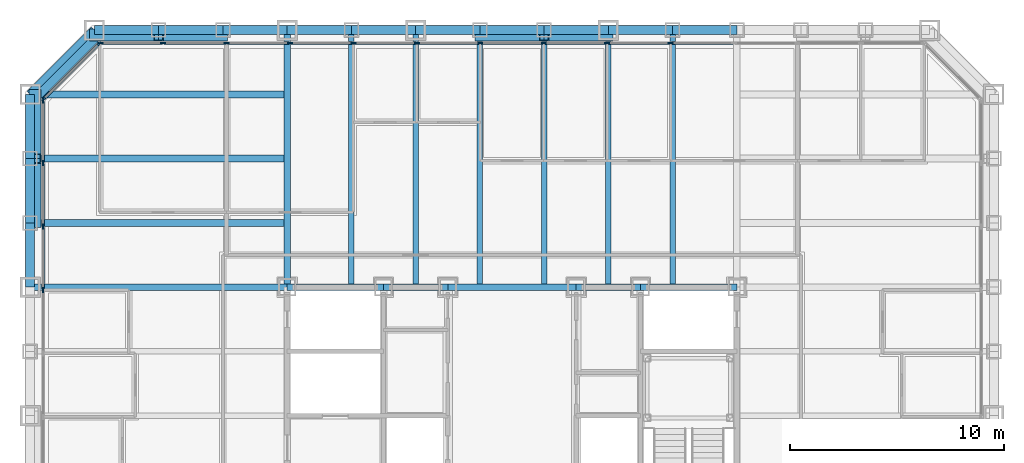
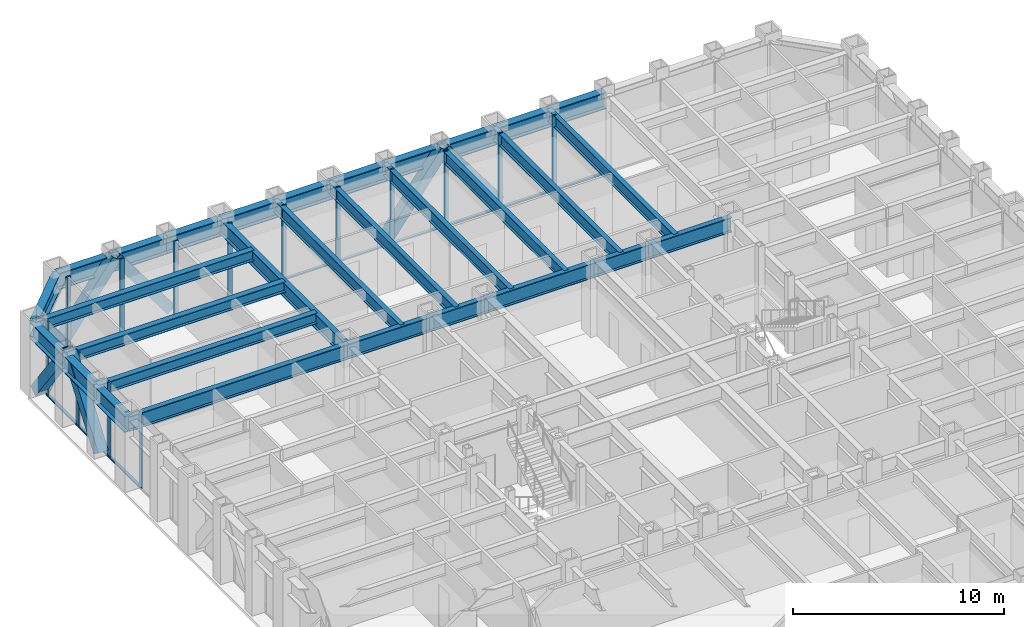
# One storey, part 5 of 16: 37 members, 30 beams, 3 elements without a shape of their own.
"""IFC4 building model written with IfcOpenShell, lengths in metres."""

from ifc_helpers import new_model, si_unit, direction, frame, origin, origin_2d, place, context, subcontext, project, spatial, rectangle, hollow_rectangle, i_section, extrude, material, layer, layer_set, material_profile, profile_set, type_object, element, aggregate, save


model = new_model("IFC4")

# Units and contexts
model_context = context("Model", 3, precision=1e-05, world=origin(), true_north=direction((0.0, 1.0)))
body_context = subcontext(model_context, "Body", "Model", "MODEL_VIEW")
ifc_project = project(units=[si_unit("LENGTHUNIT", "METRE"), si_unit("AREAUNIT", "SQUARE_METRE"), si_unit("VOLUMEUNIT", "CUBIC_METRE"), si_unit("PLANEANGLEUNIT", "RADIAN"), si_unit("MASSUNIT", "GRAM", prefix="KILO")], contexts=[model_context])

# Site, building, storey
site_placement = place(None, origin())
site = spatial("IfcSite", under=ifc_project, at=site_placement, CompositionType="ELEMENT")
building_placement = place(site_placement, origin())
building = spatial("IfcBuilding", under=site, at=building_placement, Name="Chuquiago Exchange Tower", CompositionType="ELEMENT")
storey_placement = place(building_placement, frame((0.0, 0.0, 82.800048828125)))
storey = spatial("IfcBuildingStorey", under=building, at=storey_placement, Name="L17", CompositionType="ELEMENT", Elevation=82.800048828125)

# Beams
ifc_material_1 = material(Name="Steel ASTM A992", Category="steel")
ifc_material_profile_1 = material_profile(ifc_material_1, i_section(OverallWidth=0.2919921875, OverallDepth=0.8583984375, WebThickness=0.01708984375, FlangeThickness=0.031005859375, at=origin_2d()), Name="W33X169")
ifc_profile_set_1 = profile_set([ifc_material_profile_1], Name="Steel ASTM A992")
beam_type_1 = type_object("IfcBeamType", Name="B3 W33X169", PredefinedType="BEAM", material=ifc_profile_set_1)
beam_1_placement = place(storey_placement, frame((12.0, 33.0, 3.610595703125), z_axis=(1.0, 0.0, 0.0), x_axis=(0.0, 1.0, 0.0)))
element("IfcBeam", 1, at=beam_1_placement, inside=storey, type_object=beam_type_1, Name="CB-L18-12_33-16.5_33", PredefinedType="BEAM", context=body_context, shape_type="SweptSolid", body=[
    extrude(i_section(OverallWidth=0.2919921875, OverallDepth=0.8583984375, WebThickness=0.01708984375, FlangeThickness=0.031005859375, at=origin_2d()), origin(), (0.0, 0.0, 1.0), 4.5),
])
beam_2_placement = place(storey_placement, frame((16.5, 33.0, 3.610595703125), z_axis=(1.0, 0.0, 0.0), x_axis=(0.0, 1.0, 0.0)))
element("IfcBeam", 2, at=beam_2_placement, inside=storey, type_object=beam_type_1, Name="CB-L18-16.5_33-19.5_33", PredefinedType="BEAM", context=body_context, shape_type="SweptSolid", body=[
    extrude(i_section(OverallWidth=0.2919921875, OverallDepth=0.8583984375, WebThickness=0.01708984375, FlangeThickness=0.031005859375, at=origin_2d()), origin(), (0.0, 0.0, 1.0), 3.0),
])
beam_3_placement = place(storey_placement, frame((19.5, 33.0, 3.610595703125), z_axis=(1.0, 0.0, 0.0), x_axis=(0.0, 1.0, 0.0)))
element("IfcBeam", 3, at=beam_3_placement, inside=storey, type_object=beam_type_1, Name="CB-L18-19.5_33-25.5_33", PredefinedType="BEAM", context=body_context, shape_type="SweptSolid", body=[
    extrude(i_section(OverallWidth=0.2919921875, OverallDepth=0.8583984375, WebThickness=0.01708984375, FlangeThickness=0.031005859375, at=origin_2d()), origin(), (0.0, 0.0, 1.0), 6.0),
])
beam_4_placement = place(storey_placement, frame((25.5, 33.0, 3.610595703125), z_axis=(1.0, 0.0, 0.0), x_axis=(0.0, 1.0, 0.0)))
element("IfcBeam", 4, at=beam_4_placement, inside=storey, type_object=beam_type_1, Name="CB-L18-25.5_33-28.5_33", PredefinedType="BEAM", context=body_context, shape_type="SweptSolid", body=[
    extrude(i_section(OverallWidth=0.2919921875, OverallDepth=0.8583984375, WebThickness=0.01708984375, FlangeThickness=0.031005859375, at=origin_2d()), origin(), (0.0, 0.0, 1.0), 3.0),
])
beam_5_placement = place(storey_placement, frame((28.5, 33.0, 3.610595703125), z_axis=(1.0, 0.0, 0.0), x_axis=(0.0, 1.0, 0.0)))
element("IfcBeam", 5, at=beam_5_placement, inside=storey, type_object=beam_type_1, Name="CB-L18-28.5_33-33_33", PredefinedType="BEAM", context=body_context, shape_type="SweptSolid", body=[
    extrude(i_section(OverallWidth=0.2919921875, OverallDepth=0.8583984375, WebThickness=0.01708984375, FlangeThickness=0.031005859375, at=origin_2d()), origin(), (0.0, 0.0, 1.0), 4.5),
])
ifc_material_2 = material(Name="Steel ASTM A992", Category="steel")
ifc_material_profile_2 = material_profile(ifc_material_2, i_section(OverallWidth=0.256591796875, OverallDepth=0.693359375, WebThickness=0.014404296875, FlangeThickness=0.023681640625, at=origin_2d()), Name="W27X114")
ifc_profile_set_2 = profile_set([ifc_material_profile_2], Name="Steel ASTM A992")
beam_type_2 = type_object("IfcBeamType", Name="B4 W27X114", PredefinedType="BEAM", material=ifc_profile_set_2)
for number, where, z_axis, x_axis, name in (
    (6, (15.0, 33.0, 3.693359375), (0.0, 1.0, 0.0), (-1.0, 0.0, 0.0), "FB-L18-infill-15_33-15_45-0"),
    (7, (18.0, 33.0, 3.693359375), (0.0, 1.0, 0.0), (-1.0, 0.0, 0.0), "FB-L18-infill-18_33-18_45-0"),
    (8, (21.0, 33.0, 3.693359375), (0.0, 1.0, 0.0), (-1.0, 0.0, 0.0), "FB-L18-infill-21_33-21_45-0"),
    (9, (24.0, 33.0, 3.693359375), (0.0, 1.0, 0.0), (-1.0, 0.0, 0.0), "FB-L18-infill-24_33-24_45-0"),
    (10, (27.0, 33.0, 3.693359375), (0.0, 1.0, 0.0), (-1.0, 0.0, 0.0), "FB-L18-infill-27_33-27_45-0"),
    (11, (30.0, 33.0, 3.693359375), (0.0, 1.0, 0.0), (-1.0, 0.0, 0.0), "FB-L18-infill-30_33-30_45-0"),
):
    element("IfcBeam", number, at=place(storey_placement, frame(where, z_axis=z_axis, x_axis=x_axis)), inside=storey, type_object=beam_type_2, Name=name, PredefinedType="BEAM", context=body_context, shape_type="SweptSolid", body=[
        extrude(i_section(OverallWidth=0.256591796875, OverallDepth=0.693359375, WebThickness=0.014404296875, FlangeThickness=0.023681640625, at=origin_2d()), origin(), (0.0, 0.0, 1.0), 12.0),
    ])
ifc_material_3 = material(Name="Steel ASTM A992", Category="steel")
ifc_material_profile_3 = material_profile(ifc_material_3, i_section(OverallWidth=0.3251953125, OverallDepth=0.6171875, WebThickness=0.013916015625, FlangeThickness=0.021484375, at=origin_2d()), Name="W24X117")
ifc_profile_set_3 = profile_set([ifc_material_profile_3], Name="Steel ASTM A992")
beam_type_3 = type_object("IfcBeamType", Name="B5 W24X117", PredefinedType="BEAM", material=ifc_profile_set_3)
for number, where, z_axis, x_axis, name in (
    (12, (12.0, 36.0, 3.7314453125), (-1.0, 0.0, 0.0), (0.0, -1.0, 0.0), "FB-L18-corner-12_36--0_36-0"),
    (13, (12.0, 39.0, 3.7314453125), (-1.0, 0.0, 0.0), (0.0, -1.0, 0.0), "FB-L18-corner-12_39--0_39-0"),
    (14, (12.0, 42.0, 3.7314453125), (-1.0, 0.0, 0.0), (0.0, -1.0, 0.0), "FB-L18-corner-12_42--0_42-0"),
):
    element("IfcBeam", number, at=place(storey_placement, frame(where, z_axis=z_axis, x_axis=x_axis)), inside=storey, type_object=beam_type_3, Name=name, PredefinedType="BEAM", context=body_context, shape_type="SweptSolid", body=[
        extrude(i_section(OverallWidth=0.3251953125, OverallDepth=0.6171875, WebThickness=0.013916015625, FlangeThickness=0.021484375, at=origin_2d()), origin(), (0.0, 0.0, 1.0), 12.0),
    ])

# Curtain wall, members
ifc_material_4 = material(Name="Aluminium curtain wall system", Category="aluminium")
ifc_layer_1 = layer(ifc_material_4, 0.25)
ifc_layer_set_1 = layer_set([ifc_layer_1], Name="CW1 trading floor curtain wall")
curtain_wall_type_1 = type_object("IfcCurtainWallType", Name="CW1 trading floor curtain wall", PredefinedType="NOTDEFINED", material=ifc_layer_set_1)
curtain_wall_1_placement = place(storey_placement, origin())
curtain_wall_1 = element("IfcCurtainWall", 15, at=curtain_wall_1_placement, inside=storey, type_object=curtain_wall_type_1, Name="CW1 curtain wall L17", PredefinedType="NOTDEFINED")
ifc_material_5 = material(Name="Aluminium mullion, pale anodised", Category="aluminium")
ifc_material_profile_4 = material_profile(ifc_material_5, rectangle(XDim=0.074951171875, YDim=0.25, at=origin_2d()), Name="AL 75x250")
ifc_profile_set_4 = profile_set([ifc_material_profile_4], Name="Aluminium mullion, pale anodised")
member_type_1 = type_object("IfcMemberType", Name="CW1-M mullion 75x250", PredefinedType="MULLION", material=ifc_profile_set_4)
member_1_placement = place(storey_placement, frame((29.904541015625, 44.39990234375, -0.300048828125), z_axis=(0.0, 0.0, 1.0), x_axis=(0.0, -1.0, 0.0)))
member_1 = element("IfcMember", 16, at=member_1_placement, type_object=member_type_1, Name="CW1 mullion 5", PredefinedType="MULLION", context=body_context, shape_type="SweptSolid", body=[
    extrude(rectangle(XDim=0.074951171875, YDim=0.25, at=origin_2d()), origin(), (0.0, 0.0, 1.0), 4.340087890625),
])
member_2_placement = place(storey_placement, frame((26.942626953125, 44.39990234375, -0.300048828125), z_axis=(0.0, 0.0, 1.0), x_axis=(0.0, -1.0, 0.0)))
member_2 = element("IfcMember", 17, at=member_2_placement, type_object=member_type_1, Name="CW1 mullion 6", PredefinedType="MULLION", context=body_context, shape_type="SweptSolid", body=[
    extrude(rectangle(XDim=0.074951171875, YDim=0.25, at=origin_2d()), origin(), (0.0, 0.0, 1.0), 4.340087890625),
])
member_3_placement = place(storey_placement, frame((23.98095703125, 44.39990234375, -0.300048828125), z_axis=(0.0, 0.0, 1.0), x_axis=(0.0, -1.0, 0.0)))
member_3 = element("IfcMember", 18, at=member_3_placement, type_object=member_type_1, Name="CW1 mullion 7", PredefinedType="MULLION", context=body_context, shape_type="SweptSolid", body=[
    extrude(rectangle(XDim=0.074951171875, YDim=0.25, at=origin_2d()), origin(), (0.0, 0.0, 1.0), 4.340087890625),
])
member_4_placement = place(storey_placement, frame((21.01904296875, 44.39990234375, -0.300048828125), z_axis=(0.0, 0.0, 1.0), x_axis=(0.0, -1.0, 0.0)))
member_4 = element("IfcMember", 19, at=member_4_placement, type_object=member_type_1, Name="CW1 mullion 8", PredefinedType="MULLION", context=body_context, shape_type="SweptSolid", body=[
    extrude(rectangle(XDim=0.074951171875, YDim=0.25, at=origin_2d()), origin(), (0.0, 0.0, 1.0), 4.340087890625),
])
member_5_placement = place(storey_placement, frame((18.057373046875, 44.39990234375, -0.300048828125), z_axis=(0.0, 0.0, 1.0), x_axis=(0.0, -1.0, 0.0)))
member_5 = element("IfcMember", 20, at=member_5_placement, type_object=member_type_1, Name="CW1 mullion 9", PredefinedType="MULLION", context=body_context, shape_type="SweptSolid", body=[
    extrude(rectangle(XDim=0.074951171875, YDim=0.25, at=origin_2d()), origin(), (0.0, 0.0, 1.0), 4.340087890625),
])
member_6_placement = place(storey_placement, frame((15.095458984375, 44.39990234375, -0.300048828125), z_axis=(0.0, 0.0, 1.0), x_axis=(0.0, -1.0, 0.0)))
member_6 = element("IfcMember", 21, at=member_6_placement, type_object=member_type_1, Name="CW1 mullion 10", PredefinedType="MULLION", context=body_context, shape_type="SweptSolid", body=[
    extrude(rectangle(XDim=0.074951171875, YDim=0.25, at=origin_2d()), origin(), (0.0, 0.0, 1.0), 4.340087890625),
])
member_7_placement = place(storey_placement, frame((12.1337890625, 44.39990234375, -0.300048828125), z_axis=(0.0, 0.0, 1.0), x_axis=(0.0, -1.0, 0.0)))
member_7 = element("IfcMember", 22, at=member_7_placement, type_object=member_type_1, Name="CW1 mullion 11", PredefinedType="MULLION", context=body_context, shape_type="SweptSolid", body=[
    extrude(rectangle(XDim=0.074951171875, YDim=0.25, at=origin_2d()), origin(), (0.0, 0.0, 1.0), 4.340087890625),
])
member_8_placement = place(storey_placement, frame((9.172119140625, 44.39990234375, -0.300048828125), z_axis=(0.0, 0.0, 1.0), x_axis=(0.0, -1.0, 0.0)))
member_8 = element("IfcMember", 23, at=member_8_placement, type_object=member_type_1, Name="CW1 mullion 12", PredefinedType="MULLION", context=body_context, shape_type="SweptSolid", body=[
    extrude(rectangle(XDim=0.074951171875, YDim=0.25, at=origin_2d()), origin(), (0.0, 0.0, 1.0), 4.340087890625),
])
member_9_placement = place(storey_placement, frame((6.210205078125, 44.39990234375, -0.300048828125), z_axis=(0.0, 0.0, 1.0), x_axis=(0.0, -1.0, 0.0)))
member_9 = element("IfcMember", 24, at=member_9_placement, type_object=member_type_1, Name="CW1 mullion 13", PredefinedType="MULLION", context=body_context, shape_type="SweptSolid", body=[
    extrude(rectangle(XDim=0.074951171875, YDim=0.25, at=origin_2d()), origin(), (0.0, 0.0, 1.0), 4.340087890625),
])
member_10_placement = place(storey_placement, frame((3.285888671875, 44.39990234375, -0.300048828125), z_axis=(0.0, 0.0, 1.0), x_axis=(0.0, -1.0, 0.0)))
member_10 = element("IfcMember", 25, at=member_10_placement, type_object=member_type_1, Name="CW1 mullion 14", PredefinedType="MULLION", context=body_context, shape_type="SweptSolid", body=[
    extrude(rectangle(XDim=0.074951171875, YDim=0.25, at=origin_2d()), origin(), (0.0, 0.0, 1.0), 4.340087890625),
])

curtain_wall_2_placement = place(storey_placement, origin())
curtain_wall_2 = element("IfcCurtainWall", 26, at=curtain_wall_2_placement, inside=storey, type_object=curtain_wall_type_1, Name="CW1 curtain wall L17", PredefinedType="NOTDEFINED")
member_11_placement = place(storey_placement, frame((0.60009765625, 41.714111328125, -0.300048828125), z_axis=(0.0, 0.0, 1.0), x_axis=(1.0, 0.0, 0.0)))
member_11 = element("IfcMember", 27, at=member_11_placement, type_object=member_type_1, Name="CW1 mullion 1", PredefinedType="MULLION", context=body_context, shape_type="SweptSolid", body=[
    extrude(rectangle(XDim=0.074951171875, YDim=0.25, at=origin_2d()), origin(), (0.0, 0.0, 1.0), 4.340087890625),
])
member_12_placement = place(storey_placement, frame((0.60009765625, 38.789794921875, -0.300048828125), z_axis=(0.0, 0.0, 1.0), x_axis=(1.0, 0.0, 0.0)))
member_12 = element("IfcMember", 28, at=member_12_placement, type_object=member_type_1, Name="CW1 mullion 2", PredefinedType="MULLION", context=body_context, shape_type="SweptSolid", body=[
    extrude(rectangle(XDim=0.074951171875, YDim=0.25, at=origin_2d()), origin(), (0.0, 0.0, 1.0), 4.340087890625),
])
member_13_placement = place(storey_placement, frame((0.60009765625, 35.827880859375, -0.300048828125), z_axis=(0.0, 0.0, 1.0), x_axis=(1.0, 0.0, 0.0)))
member_13 = element("IfcMember", 29, at=member_13_placement, type_object=member_type_1, Name="CW1 mullion 3", PredefinedType="MULLION", context=body_context, shape_type="SweptSolid", body=[
    extrude(rectangle(XDim=0.074951171875, YDim=0.25, at=origin_2d()), origin(), (0.0, 0.0, 1.0), 4.340087890625),
])
member_14_placement = place(storey_placement, frame((0.60009765625, 32.8662109375, -0.300048828125), z_axis=(0.0, 0.0, 1.0), x_axis=(1.0, 0.0, 0.0)))
member_14 = element("IfcMember", 30, at=member_14_placement, type_object=member_type_1, Name="CW1 mullion 4", PredefinedType="MULLION", context=body_context, shape_type="SweptSolid", body=[
    extrude(rectangle(XDim=0.074951171875, YDim=0.25, at=origin_2d()), origin(), (0.0, 0.0, 1.0), 4.340087890625),
])

# Member
ifc_material_6 = material(Name="Aluminium transom, pale anodised", Category="aluminium")
ifc_material_profile_5 = material_profile(ifc_material_6, rectangle(XDim=0.14990234375, YDim=0.074951171875, at=origin_2d()), Name="AL 150x75")
ifc_profile_set_5 = profile_set([ifc_material_profile_5], Name="Aluminium transom, pale anodised")
member_type_2 = type_object("IfcMemberType", Name="CW1-T transom 75x150", PredefinedType="MULLION", material=ifc_profile_set_5)
member_15_placement = place(storey_placement, frame((32.82861328125, 44.39990234375, -0.262451171875), z_axis=(-1.0, 0.0, 0.0), x_axis=(0.0, -1.0, 0.0)))
member_15 = element("IfcMember", 31, at=member_15_placement, type_object=member_type_2, Name="CW1 transom 4.1", PredefinedType="MULLION", context=body_context, shape_type="SweptSolid", body=[
    extrude(rectangle(XDim=0.14990234375, YDim=0.074951171875, at=origin_2d()), origin(), (0.0, 0.0, 1.0), 2.88671875),
])

member_16_placement = place(storey_placement, frame((29.866943359375, 44.39990234375, -0.262451171875), z_axis=(-1.0, 0.0, 0.0), x_axis=(0.0, -1.0, 0.0)))
member_16 = element("IfcMember", 32, at=member_16_placement, type_object=member_type_2, Name="CW1 transom 5.1", PredefinedType="MULLION", context=body_context, shape_type="SweptSolid", body=[
    extrude(rectangle(XDim=0.14990234375, YDim=0.074951171875, at=origin_2d()), origin(), (0.0, 0.0, 1.0), 2.88671875),
])

member_17_placement = place(storey_placement, frame((26.9052734375, 44.39990234375, -0.262451171875), z_axis=(-1.0, 0.0, 0.0), x_axis=(0.0, -1.0, 0.0)))
member_17 = element("IfcMember", 33, at=member_17_placement, type_object=member_type_2, Name="CW1 transom 6.1", PredefinedType="MULLION", context=body_context, shape_type="SweptSolid", body=[
    extrude(rectangle(XDim=0.14990234375, YDim=0.074951171875, at=origin_2d()), origin(), (0.0, 0.0, 1.0), 2.886962890625),
])

member_18_placement = place(storey_placement, frame((23.943359375, 44.39990234375, -0.262451171875), z_axis=(-1.0, 0.0, 0.0), x_axis=(0.0, -1.0, 0.0)))
member_18 = element("IfcMember", 34, at=member_18_placement, type_object=member_type_2, Name="CW1 transom 7.1", PredefinedType="MULLION", context=body_context, shape_type="SweptSolid", body=[
    extrude(rectangle(XDim=0.14990234375, YDim=0.074951171875, at=origin_2d()), origin(), (0.0, 0.0, 1.0), 2.88671875),
])

member_19_placement = place(storey_placement, frame((20.981689453125, 44.39990234375, -0.262451171875), z_axis=(-1.0, 0.0, 0.0), x_axis=(0.0, -1.0, 0.0)))
member_19 = element("IfcMember", 35, at=member_19_placement, type_object=member_type_2, Name="CW1 transom 8.1", PredefinedType="MULLION", context=body_context, shape_type="SweptSolid", body=[
    extrude(rectangle(XDim=0.14990234375, YDim=0.074951171875, at=origin_2d()), origin(), (0.0, 0.0, 1.0), 2.886962890625),
])

member_20_placement = place(storey_placement, frame((18.019775390625, 44.39990234375, -0.262451171875), z_axis=(-1.0, 0.0, 0.0), x_axis=(0.0, -1.0, 0.0)))
member_20 = element("IfcMember", 36, at=member_20_placement, type_object=member_type_2, Name="CW1 transom 9.1", PredefinedType="MULLION", context=body_context, shape_type="SweptSolid", body=[
    extrude(rectangle(XDim=0.14990234375, YDim=0.074951171875, at=origin_2d()), origin(), (0.0, 0.0, 1.0), 2.88671875),
])

member_21_placement = place(storey_placement, frame((15.05810546875, 44.39990234375, -0.262451171875), z_axis=(-1.0, 0.0, 0.0), x_axis=(0.0, -1.0, 0.0)))
member_21 = element("IfcMember", 37, at=member_21_placement, type_object=member_type_2, Name="CW1 transom 10.1", PredefinedType="MULLION", context=body_context, shape_type="SweptSolid", body=[
    extrude(rectangle(XDim=0.14990234375, YDim=0.074951171875, at=origin_2d()), origin(), (0.0, 0.0, 1.0), 2.88671875),
])

member_22_placement = place(storey_placement, frame((12.09619140625, 44.39990234375, -0.262451171875), z_axis=(-1.0, 0.0, 0.0), x_axis=(0.0, -1.0, 0.0)))
member_22 = element("IfcMember", 38, at=member_22_placement, type_object=member_type_2, Name="CW1 transom 11.1", PredefinedType="MULLION", context=body_context, shape_type="SweptSolid", body=[
    extrude(rectangle(XDim=0.14990234375, YDim=0.074951171875, at=origin_2d()), origin(), (0.0, 0.0, 1.0), 2.88671875),
])

member_23_placement = place(storey_placement, frame((9.134521484375, 44.39990234375, -0.262451171875), z_axis=(-1.0, 0.0, 0.0), x_axis=(0.0, -1.0, 0.0)))
member_23 = element("IfcMember", 39, at=member_23_placement, type_object=member_type_2, Name="CW1 transom 12.1", PredefinedType="MULLION", context=body_context, shape_type="SweptSolid", body=[
    extrude(rectangle(XDim=0.14990234375, YDim=0.074951171875, at=origin_2d()), origin(), (0.0, 0.0, 1.0), 2.88671875),
])

member_24_placement = place(storey_placement, frame((6.1728515625, 44.39990234375, -0.262451171875), z_axis=(-1.0, 0.0, 0.0), x_axis=(0.0, -1.0, 0.0)))
member_24 = element("IfcMember", 40, at=member_24_placement, type_object=member_type_2, Name="CW1 transom 13.1", PredefinedType="MULLION", context=body_context, shape_type="SweptSolid", body=[
    extrude(rectangle(XDim=0.14990234375, YDim=0.074951171875, at=origin_2d()), origin(), (0.0, 0.0, 1.0), 2.849365234375),
])

aggregate(curtain_wall_1, [member_1, member_2, member_3, member_4, member_5, member_6, member_7, member_8, member_9, member_10, member_15, member_16, member_17, member_18, member_19, member_20, member_21, member_22, member_23, member_24])

member_25_placement = place(storey_placement, frame((0.60009765625, 41.676513671875, -0.262451171875), z_axis=(0.0, -1.0, 0.0), x_axis=(1.0, 0.0, 0.0)))
member_25 = element("IfcMember", 41, at=member_25_placement, type_object=member_type_2, Name="CW1 transom 1.1", PredefinedType="MULLION", context=body_context, shape_type="SweptSolid", body=[
    extrude(rectangle(XDim=0.14990234375, YDim=0.074951171875, at=origin_2d()), origin(), (0.0, 0.0, 1.0), 2.849365234375),
])

member_26_placement = place(storey_placement, frame((0.60009765625, 38.752197265625, -0.262451171875), z_axis=(0.0, -1.0, 0.0), x_axis=(1.0, 0.0, 0.0)))
member_26 = element("IfcMember", 42, at=member_26_placement, type_object=member_type_2, Name="CW1 transom 2.1", PredefinedType="MULLION", context=body_context, shape_type="SweptSolid", body=[
    extrude(rectangle(XDim=0.14990234375, YDim=0.074951171875, at=origin_2d()), origin(), (0.0, 0.0, 1.0), 2.88671875),
])

member_27_placement = place(storey_placement, frame((0.60009765625, 35.79052734375, -0.262451171875), z_axis=(0.0, -1.0, 0.0), x_axis=(1.0, 0.0, 0.0)))
member_27 = element("IfcMember", 43, at=member_27_placement, type_object=member_type_2, Name="CW1 transom 3.1", PredefinedType="MULLION", context=body_context, shape_type="SweptSolid", body=[
    extrude(rectangle(XDim=0.14990234375, YDim=0.074951171875, at=origin_2d()), origin(), (0.0, 0.0, 1.0), 2.88671875),
])

aggregate(curtain_wall_2, [member_11, member_12, member_13, member_14, member_25, member_26, member_27])

# Curtain wall, members
ifc_material_7 = material(Name="Aluminium curtain wall system", Category="aluminium")
ifc_layer_2 = layer(ifc_material_7, 0.199951171875)
ifc_layer_set_2 = layer_set([ifc_layer_2], Name="CW3 facet curtain wall")
curtain_wall_type_2 = type_object("IfcCurtainWallType", Name="CW3 facet curtain wall", PredefinedType="NOTDEFINED", material=ifc_layer_set_2)
curtain_wall_3_placement = place(storey_placement, origin())
curtain_wall_3 = element("IfcCurtainWall", 44, at=curtain_wall_3_placement, inside=storey, type_object=curtain_wall_type_2, Name="CW3 curtain wall L17", PredefinedType="NOTDEFINED")
ifc_material_8 = material(Name="Aluminium mullion, pale anodised", Category="aluminium")
ifc_material_profile_6 = material_profile(ifc_material_8, rectangle(XDim=0.06494140625, YDim=0.199951171875, at=origin_2d()), Name="AL 65x200")
ifc_profile_set_6 = profile_set([ifc_material_profile_6], Name="Aluminium mullion, pale anodised")
member_type_3 = type_object("IfcMemberType", Name="CW3-M mullion 65x200", PredefinedType="MULLION", material=ifc_profile_set_6)
member_28_placement = place(storey_placement, frame((3.2255859375, 44.376953125, -0.300048828125), z_axis=(0.0, 0.0, 1.0), x_axis=(0.707106781187, -0.707106781187, 0.0)))
member_28 = element("IfcMember", 45, at=member_28_placement, type_object=member_type_3, Name="CW3 mullion 1", PredefinedType="MULLION", context=body_context, shape_type="SweptSolid", body=[
    extrude(rectangle(XDim=0.06494140625, YDim=0.199951171875, at=origin_2d()), origin(), (0.0, 0.0, 1.0), 4.340087890625),
])
member_29_placement = place(storey_placement, frame((0.623046875, 41.7744140625, -0.300048828125), z_axis=(0.0, 0.0, 1.0), x_axis=(0.707106781187, -0.707106781187, 0.0)))
member_29 = element("IfcMember", 46, at=member_29_placement, type_object=member_type_3, Name="CW3 mullion 2", PredefinedType="MULLION", context=body_context, shape_type="SweptSolid", body=[
    extrude(rectangle(XDim=0.06494140625, YDim=0.199951171875, at=origin_2d()), origin(), (0.0, 0.0, 1.0), 4.340087890625),
])
ifc_material_9 = material(Name="Aluminium transom, pale anodised", Category="aluminium")
ifc_material_profile_7 = material_profile(ifc_material_9, rectangle(XDim=0.139892578125, YDim=0.06494140625, at=origin_2d()), Name="AL 140x65")
ifc_profile_set_7 = profile_set([ifc_material_profile_7], Name="Aluminium transom, pale anodised")
member_type_4 = type_object("IfcMemberType", Name="CW3-T transom 65x140", PredefinedType="MULLION", material=ifc_profile_set_7)
member_30_placement = place(storey_placement, frame((3.20263671875, 44.35400390625, -0.267578125), z_axis=(-0.707106781187, -0.707106781187, 0.0), x_axis=(0.707106781187, -0.707106781187, 0.0)))
member_30 = element("IfcMember", 47, at=member_30_placement, type_object=member_type_4, Name="CW3 transom 1.1", PredefinedType="MULLION", context=body_context, shape_type="SweptSolid", body=[
    extrude(rectangle(XDim=0.139892578125, YDim=0.06494140625, at=origin_2d()), origin(), (0.0, 0.0, 1.0), 3.61572265625),
])
aggregate(curtain_wall_3, [member_28, member_29, member_30])

# Beams
ifc_material_10 = material(Name="Steel ASTM A992", Category="steel")
ifc_material_profile_8 = material_profile(ifc_material_10, i_section(OverallWidth=0.2919921875, OverallDepth=0.8583984375, WebThickness=0.01708984375, FlangeThickness=0.031005859375, at=origin_2d()), Name="W33X169")
ifc_profile_set_8 = profile_set([ifc_material_profile_8], Name="Steel ASTM A992")
beam_type_4 = type_object("IfcBeamType", Name="G2 W33X169", PredefinedType="BEAM", material=ifc_profile_set_8)
for number, where, z_axis, x_axis, name in (
    (48, (12.0, 33.0, 3.610595703125), (0.0, 1.0, 0.0), (-1.0, 0.0, 0.0), "FB-L18-girder-12_33-12_45-0"),
    (49, (12.0, 33.0, 3.610595703125), (-1.0, 0.0, 0.0), (0.0, -1.0, 0.0), "FB-L18-girder-12_33--0_33-0"),
):
    element("IfcBeam", number, at=place(storey_placement, frame(where, z_axis=z_axis, x_axis=x_axis)), inside=storey, type_object=beam_type_4, Name=name, PredefinedType="BEAM", context=body_context, shape_type="SweptSolid", body=[
        extrude(i_section(OverallWidth=0.2919921875, OverallDepth=0.8583984375, WebThickness=0.01708984375, FlangeThickness=0.031005859375, at=origin_2d()), origin(), (0.0, 0.0, 1.0), 12.0),
    ])

# Members
ifc_material_11 = material(Name="Steel ASTM A500 Grade C", Category="steel")
ifc_material_profile_9 = material_profile(ifc_material_11, hollow_rectangle(XDim=0.406494140625, YDim=0.406494140625, WallThickness=0.0146484375, at=origin_2d()), Name="HSS16X16X5/8")
ifc_profile_set_9 = profile_set([ifc_material_profile_9], Name="Steel ASTM A500 Grade C")
member_type_5 = type_object("IfcMemberType", Name="LB4 HSS16X16X5/8", PredefinedType="BRACE", material=ifc_profile_set_9)
member_31_placement = place(storey_placement, frame((3.21337890625, 44.78662109375, 0.0), z_axis=(-0.512077265487, -0.512077265487, 0.689604051861), x_axis=(0.707106781187, -0.707106781187, 0.0)))
element("IfcMember", 50, at=member_31_placement, inside=storey, type_object=member_type_5, Name="LB-L17-3_45-0_42", PredefinedType="BRACE", context=body_context, shape_type="SweptSolid", body=[
    extrude(hollow_rectangle(XDim=0.406494140625, YDim=0.406494140625, WallThickness=0.0146484375, at=origin_2d()), origin(), (0.0, 0.0, 1.0), 5.8583984375),
])
ifc_material_12 = material(Name="Steel ASTM A572 Grade 50", Category="steel")
ifc_material_profile_10 = material_profile(ifc_material_12, hollow_rectangle(XDim=0.550048828125, YDim=0.550048828125, WallThickness=0.044921875, at=origin_2d()), Name="BOX550X550X45")
ifc_profile_set_10 = profile_set([ifc_material_profile_10], Name="Steel ASTM A572 Grade 50")
member_type_6 = type_object("IfcMemberType", Name="MB1 BOX550X550X45", PredefinedType="BRACE", material=ifc_profile_set_10)
for number, where, z_axis, x_axis, name in (
    (51, (27.0, 44.77001953125, 0.0), (-0.596173923302, 0.0, 0.802855312728), (0.0, -1.0, 0.0), "Mega diagonal L17 N face"),
    (52, (21.0, 44.77001953125, 0.0), (0.596173923302, 0.0, 0.802855312728), (0.0, 1.0, 0.0), "Mega diagonal L17 N face"),
    (53, (9.0, 44.77001953125, 0.0), (-0.596173923302, 0.0, 0.802855312728), (0.0, -1.0, 0.0), "Mega diagonal L17 N face"),
    (54, (3.0, 44.77001953125, 0.0), (0.596173923302, 0.0, 0.802855312728), (0.0, 1.0, 0.0), "Mega diagonal L17 N face"),
    (55, (0.22998046875, 42.0, 0.0), (0.0, -0.596173923302, 0.802855312728), (1.0, 0.0, 0.0), "Mega diagonal L17 W face"),
    (56, (0.22998046875, 36.0, 0.0), (0.0, 0.596173923302, 0.802855312728), (-1.0, 0.0, 0.0), "Mega diagonal L17 W face"),
):
    element("IfcMember", number, at=place(storey_placement, frame(where, z_axis=z_axis, x_axis=x_axis)), inside=storey, type_object=member_type_6, Name=name, PredefinedType="BRACE", context=body_context, shape_type="SweptSolid", body=[
        extrude(hollow_rectangle(XDim=0.550048828125, YDim=0.550048828125, WallThickness=0.044921875, at=origin_2d()), origin(), (0.0, 0.0, 1.0), 5.031982421875),
    ])

# Beams
ifc_material_13 = material(Name="Steel ASTM A992", Category="steel")
ifc_material_profile_11 = material_profile(ifc_material_13, i_section(OverallWidth=0.424072265625, OverallDepth=0.947509765625, WebThickness=0.02392578125, FlangeThickness=0.042724609375, at=origin_2d()), Name="W36X302")
ifc_profile_set_11 = profile_set([ifc_material_profile_11], Name="Steel ASTM A992")
beam_type_5 = type_object("IfcBeamType", Name="SP1 W36X302", PredefinedType="SPANDREL", material=ifc_profile_set_11)
for number, where, z_axis, x_axis, name in (
    (57, (33.0, 45.0, 3.566162109375), (-1.0, 0.0, 0.0), (0.0, -1.0, 0.0), "SPB-L18-33_45-30_45"),
    (58, (30.0, 45.0, 3.566162109375), (-1.0, 0.0, 0.0), (0.0, -1.0, 0.0), "SPB-L18-30_45-27_45"),
    (59, (27.0, 45.0, 3.566162109375), (-1.0, 0.0, 0.0), (0.0, -1.0, 0.0), "SPB-L18-27_45-24_45"),
    (60, (24.0, 45.0, 3.566162109375), (-1.0, 0.0, 0.0), (0.0, -1.0, 0.0), "SPB-L18-24_45-21_45"),
    (61, (21.0, 45.0, 3.566162109375), (-1.0, 0.0, 0.0), (0.0, -1.0, 0.0), "SPB-L18-21_45-18_45"),
    (62, (18.0, 45.0, 3.566162109375), (-1.0, 0.0, 0.0), (0.0, -1.0, 0.0), "SPB-L18-18_45-15_45"),
    (63, (15.0, 45.0, 3.566162109375), (-1.0, 0.0, 0.0), (0.0, -1.0, 0.0), "SPB-L18-15_45-12_45"),
    (64, (12.0, 45.0, 3.566162109375), (-1.0, 0.0, 0.0), (0.0, -1.0, 0.0), "SPB-L18-12_45-9_45"),
    (65, (9.0, 45.0, 3.566162109375), (-1.0, 0.0, 0.0), (0.0, -1.0, 0.0), "SPB-L18-9_45-6_45"),
    (66, (6.0, 45.0, 3.566162109375), (-1.0, 0.0, 0.0), (0.0, -1.0, 0.0), "SPB-L18-6_45-3_45"),
):
    element("IfcBeam", number, at=place(storey_placement, frame(where, z_axis=z_axis, x_axis=x_axis)), inside=storey, type_object=beam_type_5, Name=name, PredefinedType="SPANDREL", context=body_context, shape_type="SweptSolid", body=[
        extrude(i_section(OverallWidth=0.424072265625, OverallDepth=0.947509765625, WebThickness=0.02392578125, FlangeThickness=0.042724609375, at=origin_2d()), origin(), (0.0, 0.0, 1.0), 3.0),
    ])
beam_6_placement = place(storey_placement, frame((3.0, 45.0, 3.566162109375), z_axis=(-0.707106781187, -0.707106781187, 0.0), x_axis=(0.707106781187, -0.707106781187, 0.0)))
element("IfcBeam", 67, at=beam_6_placement, inside=storey, type_object=beam_type_5, Name="SPB-L18-3_45-0_42", PredefinedType="SPANDREL", context=body_context, shape_type="SweptSolid", body=[
    extrude(i_section(OverallWidth=0.424072265625, OverallDepth=0.947509765625, WebThickness=0.02392578125, FlangeThickness=0.042724609375, at=origin_2d()), origin(), (0.0, 0.0, 1.0), 4.24267578125),
])
for number, where, z_axis, x_axis, name in (
    (68, (0.0, 42.0, 3.566162109375), (0.0, -1.0, 0.0), (1.0, 0.0, 0.0), "SPB-L18-0_42-0_39"),
    (69, (0.0, 39.0, 3.566162109375), (0.0, -1.0, 0.0), (1.0, 0.0, 0.0), "SPB-L18-0_39-0_36"),
    (70, (0.0, 36.0, 3.566162109375), (0.0, -1.0, 0.0), (1.0, 0.0, 0.0), "SPB-L18-0_36-0_33"),
):
    element("IfcBeam", number, at=place(storey_placement, frame(where, z_axis=z_axis, x_axis=x_axis)), inside=storey, type_object=beam_type_5, Name=name, PredefinedType="SPANDREL", context=body_context, shape_type="SweptSolid", body=[
        extrude(i_section(OverallWidth=0.424072265625, OverallDepth=0.947509765625, WebThickness=0.02392578125, FlangeThickness=0.042724609375, at=origin_2d()), origin(), (0.0, 0.0, 1.0), 3.0),
    ])

save(model, "model.ifc")
